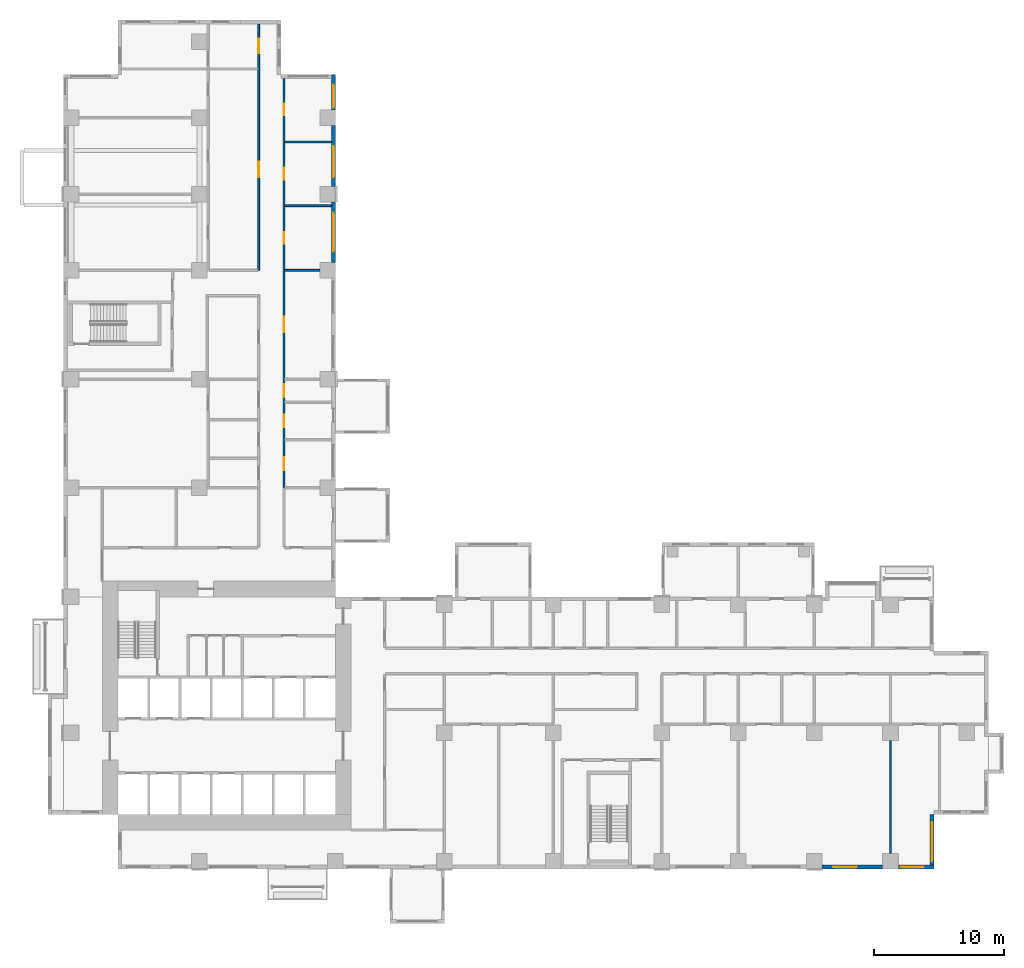
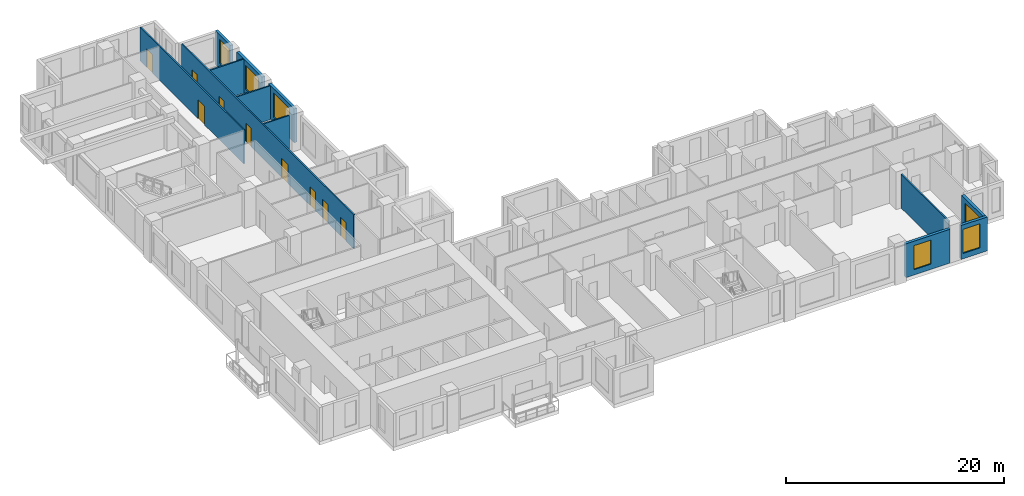
# One storey, part 8 of 15: 12 walls, 9 doors, 6 windows, 15 openings.
"""IFC4 building model written with IfcOpenShell, lengths in metres."""

import ifcopenshell
import ifcopenshell.guid

model = None  # the IFC model being written
_history = None  # IfcOwnerHistory: only IFC2X3 demands one
_inside = {}  # id of a spatial element -> (the spatial element, [elements in it])
_under = {}  # id of a project, library or spatial element -> (it, [spatial elements below it])
_declared = {}  # id of a project -> (the project, [libraries it declares])
_typed = {}  # id of a type object -> (the type object, [elements of that type])
_made_of = {}  # id of a material, layer set ... -> (it, [elements and type objects made of it])


def new_model(schema):
    """Start an empty IFC model of exactly this schema.

    Asked for "IFC4X3", IfcOpenShell would pick the latest addendum, in which some entities
    have other attributes; the version numbers below select the first issue.
    IFC2X3 requires an IfcOwnerHistory on every rooted entity: one is made here for all.
    """
    global model, _history
    if schema == "IFC4X3":
        model = ifcopenshell.file(schema_version=(4, 3, 0, 0))
    else:
        model = ifcopenshell.file(schema=schema)
    _inside.clear()
    _under.clear()
    _declared.clear()
    _typed.clear()
    _made_of.clear()
    _history = None
    if model.schema == "IFC2X3":
        org = make("IfcOrganization", Name="unknown")
        user = make(
            "IfcPersonAndOrganization",
            ThePerson=make("IfcPerson", FamilyName="unknown"),
            TheOrganization=org,
        )
        app = make(
            "IfcApplication",
            ApplicationDeveloper=org,
            Version="unknown",
            ApplicationFullName="unknown",
            ApplicationIdentifier="unknown",
        )
        _history = make(
            "IfcOwnerHistory",
            OwningUser=user,
            OwningApplication=app,
            ChangeAction="ADDED",
            CreationDate=0,
        )
    return model


def make(cls, **values):
    """One entity of the class cls with the attributes given. An attribute that is None is left unset."""
    return model.create_entity(
        cls, **{name: value for name, value in values.items() if value is not None}
    )


def rooted(cls, **values):
    """An entity with a GlobalId (a new one), such as an element, a storey or a relation."""
    return make(cls, GlobalId=ifcopenshell.guid.new(), OwnerHistory=_history, **values)


def si_unit(unit_type, name, prefix=None):
    """IfcSIUnit, for example si_unit("LENGTHUNIT", "METRE", prefix="MILLI")."""
    return make("IfcSIUnit", UnitType=unit_type, Prefix=prefix, Name=name)


def assignment(units):
    """IfcUnitAssignment: the units of a project."""
    return None if units is None else make("IfcUnitAssignment", Units=units)


def point(xyz):
    """IfcCartesianPoint."""
    return None if xyz is None else make("IfcCartesianPoint", Coordinates=xyz)


def direction(xyz):
    """IfcDirection."""
    return None if xyz is None else make("IfcDirection", DirectionRatios=xyz)


def frame(location, z_axis=None, x_axis=None):
    """IfcAxis2Placement3D, a coordinate frame: its origin and axes. An axis left out is left unset."""
    return make(
        "IfcAxis2Placement3D",
        Location=point(location),
        Axis=direction(z_axis),
        RefDirection=direction(x_axis),
    )


def frame_2d(location, x_axis=None):
    """IfcAxis2Placement2D, a coordinate frame in the plane: its origin and x axis."""
    return make(
        "IfcAxis2Placement2D", Location=point(location), RefDirection=direction(x_axis)
    )


def origin():
    """The frame at (0, 0, 0) with its axes left unset."""
    return frame((0.0, 0.0, 0.0))


def place(relative_to, where):
    """IfcLocalPlacement: puts the frame where relative to a parent placement (None: the world)."""
    return make(
        "IfcLocalPlacement", PlacementRelTo=relative_to, RelativePlacement=where
    )


def context(
    kind, dimensions, precision=None, world=None, true_north=None, identifier=None
):
    """IfcGeometricRepresentationContext, for example the 3D "Model" context."""
    return make(
        "IfcGeometricRepresentationContext",
        ContextIdentifier=identifier,
        ContextType=kind,
        CoordinateSpaceDimension=dimensions,
        Precision=precision,
        WorldCoordinateSystem=world,
        TrueNorth=true_north,
    )


def subcontext(parent, identifier, kind, view, scale=None):
    """IfcGeometricRepresentationSubContext, for example "Body" below "Model"."""
    return make(
        "IfcGeometricRepresentationSubContext",
        ContextIdentifier=identifier,
        ContextType=kind,
        ParentContext=parent,
        TargetScale=scale,
        TargetView=view,
    )


def project(units=None, contexts=None):
    """IfcProject with its units and contexts."""
    return rooted(
        "IfcProject",
        Name="project",
        RepresentationContexts=contexts,
        UnitsInContext=assignment(units),
    )


def spatial(cls, under=None, at=None, **own):
    """A site, building, storey or space (cls), placed at a placement, below another one or the project."""
    s = rooted(cls, ObjectPlacement=at, **own)
    if under is not None:
        _under.setdefault(under.id(), (under, []))[1].append(s)
    return s


def profile(cls, at=None, kind="AREA", **sizes):
    """A parametric profile (cls). Its sizes go by their IFC names, for example OverallWidth=200.0."""
    return make(cls, ProfileType=kind, Position=at, **sizes)


def rectangle(**sizes):
    """IfcRectangleProfileDef."""
    return profile("IfcRectangleProfileDef", **sizes)


def extrude(swept, where, along, depth):
    """IfcExtrudedAreaSolid: the profile swept, set in the frame where, extruded along a direction by depth."""
    return make(
        "IfcExtrudedAreaSolid",
        SweptArea=swept,
        Position=where,
        ExtrudedDirection=direction(along),
        Depth=depth,
    )


def shape(context_of_items, identifier, shape_type, items):
    """IfcShapeRepresentation: the items that make up one representation, for example the "Body"."""
    return make(
        "IfcShapeRepresentation",
        ContextOfItems=context_of_items,
        RepresentationIdentifier=identifier,
        RepresentationType=shape_type,
        Items=items,
    )


def source(mapping_origin, context_of_items, identifier, shape_type, items):
    """IfcRepresentationMap: a shape defined once, which mapped items show again and again."""
    return make(
        "IfcRepresentationMap",
        MappingOrigin=mapping_origin,
        MappedRepresentation=shape(context_of_items, identifier, shape_type, items),
    )


def transform(
    local_origin,
    x_axis=None,
    y_axis=None,
    z_axis=None,
    scale=None,
    scale2=None,
    scale3=None,
    uniform=True,
):
    """IfcCartesianTransformationOperator3D, or its non-uniform kind. x_axis, y_axis, z_axis: its Axis1, 2, 3."""
    if uniform:
        return make(
            "IfcCartesianTransformationOperator3D",
            Axis1=direction(x_axis),
            Axis2=direction(y_axis),
            LocalOrigin=point(local_origin),
            Scale=scale,
            Axis3=direction(z_axis),
        )
    return make(
        "IfcCartesianTransformationOperator3DnonUniform",
        Axis1=direction(x_axis),
        Axis2=direction(y_axis),
        LocalOrigin=point(local_origin),
        Scale=scale,
        Axis3=direction(z_axis),
        Scale2=scale2,
        Scale3=scale3,
    )


def mapped(mapping_source, mapping_target):
    """IfcMappedItem: shows the shape of a source again, moved by a transform."""
    return make(
        "IfcMappedItem", MappingSource=mapping_source, MappingTarget=mapping_target
    )


def material(Name=None, Category=None):
    """IfcMaterial."""
    return make("IfcMaterial", Name=Name, Category=Category)


def layer(
    of_material, thickness, ventilated=None, Name=None, Category=None, Priority=None
):
    """IfcMaterialLayer: one layer of a wall or slab, of a material (None: an air gap)."""
    return make(
        "IfcMaterialLayer",
        Material=of_material,
        LayerThickness=thickness,
        IsVentilated=ventilated,
        Name=Name,
        Category=Category,
        Priority=Priority,
    )


def layer_set(layers, Name=None):
    """IfcMaterialLayerSet."""
    return make("IfcMaterialLayerSet", MaterialLayers=layers, LayerSetName=Name)


def made_of(thing, what):
    """Note that an element or type object is made of a material, layer set ...; save() writes the relation."""
    if what is not None:
        _made_of.setdefault(what.id(), (what, []))[1].append(thing)
    return thing


def type_object(cls, material=None, **own):
    """A type object (cls), such as IfcWallType, which elements share."""
    return made_of(rooted(cls, **own), material)


def element(
    cls,
    number,
    at=None,
    inside=None,
    cuts=None,
    type_object=None,
    material=None,
    context=None,
    identifier="Body",
    shape_type=None,
    held_by="IfcProductDefinitionShape",
    body=None,
    shapes=None,
    **own,
):
    """One element of the class cls, such as IfcWall. Its Tag is "e" and its number.

    at: its placement. inside: the storey or other place that contains it. cuts: it is an
    opening in that element (IfcRelVoidsElement). A single representation is given by context,
    identifier, shape_type and body (its items); several are given by shapes. held_by: the class
    of the entity that holds the representations. save() writes the other relations.
    """
    e = rooted(cls, Tag="e%d" % number, ObjectPlacement=at, **own)
    if body is not None:
        shapes = [shape(context, identifier, shape_type, body)]
    if shapes is not None:
        e.Representation = make(held_by, Representations=shapes)
    if inside is not None:
        _inside.setdefault(inside.id(), (inside, []))[1].append(e)
    if cuts is not None:
        rooted(
            "IfcRelVoidsElement", RelatingBuildingElement=cuts, RelatedOpeningElement=e
        )
    if type_object is not None:
        _typed.setdefault(type_object.id(), (type_object, []))[1].append(e)
    return made_of(e, material)


def fill(opening, filler):
    """IfcRelFillsElement: the door or window that sits in an opening."""
    return rooted(
        "IfcRelFillsElement",
        RelatingOpeningElement=opening,
        RelatedBuildingElement=filler,
    )


def aggregate(whole, parts):
    """IfcRelAggregates: a whole, such as a stair, and the parts it consists of."""
    return rooted("IfcRelAggregates", RelatingObject=whole, RelatedObjects=parts)


def save(model, path):
    """Write the relations noted so far, then the file.

    IfcRelAggregates (storeys below a building ...), IfcRelContainedInSpatialStructure (elements
    in a storey), IfcRelDefinesByType, IfcRelAssociatesMaterial and IfcRelDeclares: one each for
    every whole, place, type object, material and project.
    """
    for whole, parts in _under.values():
        aggregate(whole, parts)
    for where, things in _inside.values():
        rooted(
            "IfcRelContainedInSpatialStructure",
            RelatedElements=things,
            RelatingStructure=where,
        )
    for kind, things in _typed.values():
        rooted("IfcRelDefinesByType", RelatedObjects=things, RelatingType=kind)
    for what, things in _made_of.values():
        rooted("IfcRelAssociatesMaterial", RelatedObjects=things, RelatingMaterial=what)
    for by, libraries in _declared.values():
        rooted("IfcRelDeclares", RelatingContext=by, RelatedDefinitions=libraries)
    model.write(path)


model = new_model("IFC4")

# Units and contexts
model_context = context("Model", 3, precision=1e-05, world=origin(), true_north=direction((0.0, 1.0)))
body_context = subcontext(model_context, "Body", "Model", "MODEL_VIEW")
ifc_project = project(units=[si_unit("LENGTHUNIT", "METRE"), si_unit("AREAUNIT", "SQUARE_METRE"), si_unit("VOLUMEUNIT", "CUBIC_METRE"), si_unit("PLANEANGLEUNIT", "RADIAN"), si_unit("MASSUNIT", "GRAM", prefix="KILO")], contexts=[model_context])

# Site, building, storey
site_placement = place(None, origin())
site = spatial("IfcSite", under=ifc_project, at=site_placement, CompositionType="ELEMENT")
building_placement = place(site_placement, origin())
building = spatial("IfcBuilding", under=site, at=building_placement, Name="Aurelian Terraces", CompositionType="ELEMENT")
storey_placement = place(building_placement, frame((0.0, 0.0, 65.7)))
storey = spatial("IfcBuildingStorey", under=building, at=storey_placement, Name="L13", CompositionType="ELEMENT", Elevation=65.7)

# Wall, opening, window
ifc_material_1 = material(Name="Terracotta rainscreen cladding", Category="masonry")
ifc_layer_1 = layer(ifc_material_1, 0.3)
ifc_layer_set_1 = layer_set([ifc_layer_1], Name="EW-300")
wall_type_1 = type_object("IfcWallType", Name="EW-300", PredefinedType="STANDARD", material=ifc_layer_set_1)
shared_shape_1 = source(origin(), body_context, "Body", "SweptSolid", [
    extrude(rectangle(XDim=4.68, YDim=0.3, at=frame_2d((2.34, 0.0))), origin(), (0.0, 0.0, 1.0), 3.8),
])
wall_1_placement = place(storey_placement, frame((58.56, 0.15, 0.0), z_axis=(0.0, 0.0, 1.0), x_axis=(1.0, 0.0, 0.0)))
wall_1 = element("IfcWall", 1, at=wall_1_placement, inside=storey, type_object=wall_type_1, Name="External wall L13 F01.10", PredefinedType="STANDARD", context=body_context, shape_type="MappedRepresentation", body=[
    mapped(shared_shape_1, transform((0.0, 0.0, 0.0), scale=1.0)),
])
shared_shape_2 = source(origin(), body_context, "Body", "SweptSolid", [
    extrude(rectangle(XDim=1.8, YDim=2.7, at=frame_2d((0.9, 1.35))), frame((0.0, 0.16, 0.0), z_axis=(0.0, -1.0, 0.0), x_axis=(1.0, 0.0, 0.0)), (0.0, 0.0, 1.0), 0.32),
])
opening_1_placement = place(wall_1_placement, frame((0.8775, 0.0, 0.6)))
opening_1 = element("IfcOpeningElement", 2, at=opening_1_placement, cuts=wall_1, Name="Opening W1827", PredefinedType="OPENING", context=body_context, shape_type="MappedRepresentation", body=[
    mapped(shared_shape_2, transform((0.0, 0.0, 0.0), scale=1.0)),
])
ifc_material_2 = material(Name="Clear glazing", Category="glass")
window_type_1 = type_object("IfcWindowType", Name="W-1800x2700", PartitioningType="SINGLE_PANEL", PredefinedType="WINDOW", material=ifc_material_2)
shared_shape_3 = source(origin(), body_context, "Body", "SweptSolid", [
    extrude(rectangle(XDim=1.8, YDim=2.7, at=frame_2d((0.9, 1.35))), frame((0.0, 0.03, 0.0), z_axis=(0.0, -1.0, 0.0), x_axis=(1.0, 0.0, 0.0)), (0.0, 0.0, 1.0), 0.06),
])
window_1_placement = place(opening_1_placement, origin())
window_1 = element("IfcWindow", 3, at=window_1_placement, inside=storey, type_object=window_type_1, Name="Window L13 L13-F01-10-0", OverallHeight=2.7, OverallWidth=1.8, PartitioningType="SINGLE_PANEL", PredefinedType="WINDOW", context=body_context, shape_type="MappedRepresentation", body=[
    mapped(shared_shape_3, transform((0.0, 0.0, 0.0), scale=1.0)),
])
fill(opening_1, window_1)

wall_2_placement = place(storey_placement, frame((20.85, 46.8, 0.0), z_axis=(0.0, 0.0, 1.0), x_axis=(0.0, 1.0, 0.0)))
wall_2 = element("IfcWall", 4, at=wall_2_placement, inside=storey, type_object=wall_type_1, Name="External wall L13 F08.27", PredefinedType="STANDARD", context=body_context, shape_type="MappedRepresentation", body=[
    mapped(shared_shape_1, transform((0.0, 0.0, 0.0), scale=1.0)),
])
shared_shape_4 = source(origin(), body_context, "Body", "SweptSolid", [
    extrude(rectangle(XDim=3.0, YDim=2.7, at=frame_2d((1.5, 1.35))), frame((0.0, 0.16, 0.0), z_axis=(0.0, -1.0, 0.0), x_axis=(1.0, 0.0, 0.0)), (0.0, 0.0, 1.0), 0.32),
])
opening_2_placement = place(wall_2_placement, frame((0.84, 0.0, 0.6)))
opening_2 = element("IfcOpeningElement", 5, at=opening_2_placement, cuts=wall_2, Name="Opening W3027", PredefinedType="OPENING", context=body_context, shape_type="MappedRepresentation", body=[
    mapped(shared_shape_4, transform((0.0, 0.0, 0.0), scale=1.0)),
])
window_type_2 = type_object("IfcWindowType", Name="W-3000x2700", PartitioningType="SINGLE_PANEL", PredefinedType="WINDOW", material=ifc_material_2)
shared_shape_5 = source(origin(), body_context, "Body", "SweptSolid", [
    extrude(rectangle(XDim=3.0, YDim=2.7, at=frame_2d((1.5, 1.35))), frame((0.0, 0.03, 0.0), z_axis=(0.0, -1.0, 0.0), x_axis=(1.0, 0.0, 0.0)), (0.0, 0.0, 1.0), 0.06),
])
window_2_placement = place(opening_2_placement, origin())
window_2 = element("IfcWindow", 6, at=window_2_placement, inside=storey, type_object=window_type_2, Name="Window L13 L13-F08-27-0", OverallHeight=2.7, OverallWidth=3.0, PartitioningType="SINGLE_PANEL", PredefinedType="WINDOW", context=body_context, shape_type="MappedRepresentation", body=[
    mapped(shared_shape_5, transform((0.0, 0.0, 0.0), scale=1.0)),
])
fill(opening_2, window_2)

wall_3_placement = place(storey_placement, frame((20.85, 52.68, 0.0), z_axis=(0.0, 0.0, 1.0), x_axis=(0.0, 1.0, 0.0)))
wall_3 = element("IfcWall", 7, at=wall_3_placement, inside=storey, type_object=wall_type_1, Name="External wall L13 F08.28", PredefinedType="STANDARD", context=body_context, shape_type="MappedRepresentation", body=[
    mapped(shared_shape_1, transform((0.0, 0.0, 0.0), scale=1.0)),
])
shared_shape_6 = source(origin(), body_context, "Body", "SweptSolid", [
    extrude(rectangle(XDim=2.4, YDim=2.7, at=frame_2d((1.2, 1.35))), frame((0.0, 0.16, 0.0), z_axis=(0.0, -1.0, 0.0), x_axis=(1.0, 0.0, 0.0)), (0.0, 0.0, 1.0), 0.32),
])
opening_3_placement = place(wall_3_placement, frame((0.695, 0.0, 0.6)))
opening_3 = element("IfcOpeningElement", 8, at=opening_3_placement, cuts=wall_3, Name="Opening W2427", PredefinedType="OPENING", context=body_context, shape_type="MappedRepresentation", body=[
    mapped(shared_shape_6, transform((0.0, 0.0, 0.0), scale=1.0)),
])
window_type_3 = type_object("IfcWindowType", Name="W-2400x2700", PartitioningType="SINGLE_PANEL", PredefinedType="WINDOW", material=ifc_material_2)
shared_shape_7 = source(origin(), body_context, "Body", "SweptSolid", [
    extrude(rectangle(XDim=2.4, YDim=2.7, at=frame_2d((1.2, 1.35))), frame((0.0, 0.03, 0.0), z_axis=(0.0, -1.0, 0.0), x_axis=(1.0, 0.0, 0.0)), (0.0, 0.0, 1.0), 0.06),
])
window_3_placement = place(opening_3_placement, origin())
window_3 = element("IfcWindow", 9, at=window_3_placement, inside=storey, type_object=window_type_3, Name="Window L13 L13-F08-28-0", OverallHeight=2.7, OverallWidth=2.4, PartitioningType="SINGLE_PANEL", PredefinedType="WINDOW", context=body_context, shape_type="MappedRepresentation", body=[
    mapped(shared_shape_7, transform((0.0, 0.0, 0.0), scale=1.0)),
])
fill(opening_3, window_3)

shared_shape_8 = source(origin(), body_context, "Body", "SweptSolid", [
    extrude(rectangle(XDim=4.2, YDim=0.3, at=frame_2d((2.1, 0.0))), origin(), (0.0, 0.0, 1.0), 3.8),
])
wall_4_placement = place(storey_placement, frame((67.05, 0.0, 0.0), z_axis=(0.0, 0.0, 1.0), x_axis=(0.0, 1.0, 0.0)))
wall_4 = element("IfcWall", 10, at=wall_4_placement, inside=storey, type_object=wall_type_1, Name="External wall L13 F02.12", PredefinedType="STANDARD", context=body_context, shape_type="MappedRepresentation", body=[
    mapped(shared_shape_8, transform((0.0, 0.0, 0.0), scale=1.0)),
])
opening_4_placement = place(wall_4_placement, frame((0.6, 0.0, 0.6)))
opening_4 = element("IfcOpeningElement", 11, at=opening_4_placement, cuts=wall_4, Name="Opening W3027", PredefinedType="OPENING", context=body_context, shape_type="MappedRepresentation", body=[
    mapped(shared_shape_4, transform((0.0, 0.0, 0.0), scale=1.0)),
])
window_4_placement = place(opening_4_placement, origin())
window_4 = element("IfcWindow", 12, at=window_4_placement, inside=storey, type_object=window_type_2, Name="Window L13 L13-F02-12-0", OverallHeight=2.7, OverallWidth=3.0, PartitioningType="SINGLE_PANEL", PredefinedType="WINDOW", context=body_context, shape_type="MappedRepresentation", body=[
    mapped(shared_shape_5, transform((0.0, 0.0, 0.0), scale=1.0)),
])
fill(opening_4, window_4)

shared_shape_9 = source(origin(), body_context, "Body", "SweptSolid", [
    extrude(rectangle(XDim=2.76, YDim=0.3, at=frame_2d((1.38, 0.0))), origin(), (0.0, 0.0, 1.0), 3.8),
])
wall_5_placement = place(storey_placement, frame((64.44, 0.15, 0.0), z_axis=(0.0, 0.0, 1.0), x_axis=(1.0, 0.0, 0.0)))
wall_5 = element("IfcWall", 13, at=wall_5_placement, inside=storey, type_object=wall_type_1, Name="External wall L13 F01.11", PredefinedType="STANDARD", context=body_context, shape_type="MappedRepresentation", body=[
    mapped(shared_shape_9, transform((0.0, 0.0, 0.0), scale=1.0)),
])
opening_5_placement = place(wall_5_placement, frame((0.18, 0.0, 0.6)))
opening_5 = element("IfcOpeningElement", 14, at=opening_5_placement, cuts=wall_5, Name="Opening W1827", PredefinedType="OPENING", context=body_context, shape_type="MappedRepresentation", body=[
    mapped(shared_shape_2, transform((0.0, 0.0, 0.0), scale=1.0)),
])
window_5_placement = place(opening_5_placement, origin())
window_5 = element("IfcWindow", 15, at=window_5_placement, inside=storey, type_object=window_type_1, Name="Window L13 L13-F01-11-0", OverallHeight=2.7, OverallWidth=1.8, PartitioningType="SINGLE_PANEL", PredefinedType="WINDOW", context=body_context, shape_type="MappedRepresentation", body=[
    mapped(shared_shape_3, transform((0.0, 0.0, 0.0), scale=1.0)),
])
fill(opening_5, window_5)

wall_6_placement = place(storey_placement, frame((20.85, 58.56, 0.0), z_axis=(0.0, 0.0, 1.0), x_axis=(0.0, 1.0, 0.0)))
wall_6 = element("IfcWall", 16, at=wall_6_placement, inside=storey, type_object=wall_type_1, Name="External wall L13 F08.29", PredefinedType="STANDARD", context=body_context, shape_type="MappedRepresentation", body=[
    mapped(shared_shape_9, transform((0.0, 0.0, 0.0), scale=1.0)),
])
opening_6_placement = place(wall_6_placement, frame((0.18, 0.0, 0.6)))
opening_6 = element("IfcOpeningElement", 17, at=opening_6_placement, cuts=wall_6, Name="Opening W1827", PredefinedType="OPENING", context=body_context, shape_type="MappedRepresentation", body=[
    mapped(shared_shape_2, transform((0.0, 0.0, 0.0), scale=1.0)),
])
window_6_placement = place(opening_6_placement, origin())
window_6 = element("IfcWindow", 18, at=window_6_placement, inside=storey, type_object=window_type_1, Name="Window L13 L13-F08-29-0", OverallHeight=2.7, OverallWidth=1.8, PartitioningType="SINGLE_PANEL", PredefinedType="WINDOW", context=body_context, shape_type="MappedRepresentation", body=[
    mapped(shared_shape_3, transform((0.0, 0.0, 0.0), scale=1.0)),
])
fill(opening_6, window_6)

# Walls
ifc_material_3 = material(Name="Gypsum board on steel studs", Category="steel")
ifc_layer_2 = layer(ifc_material_3, 0.15)
ifc_layer_set_2 = layer_set([ifc_layer_2], Name="Partition 150")
wall_type_2 = type_object("IfcWallType", Name="Partition 150", PredefinedType="PARTITIONING", material=ifc_layer_set_2)
shared_shape_10 = source(origin(), body_context, "Body", "SweptSolid", [
    extrude(rectangle(XDim=8.702, YDim=0.15, at=frame_2d((4.351, 0.0))), origin(), (0.0, 0.0, 1.0), 3.8),
])
wall_7_placement = place(storey_placement, frame((63.84, 1.199, 0.0), z_axis=(0.0, 0.0, 1.0), x_axis=(0.0, 1.0, 0.0)))
element("IfcWall", 19, at=wall_7_placement, inside=storey, type_object=wall_type_2, Name="Partition", PredefinedType="PARTITIONING", context=body_context, shape_type="MappedRepresentation", body=[
    mapped(shared_shape_10, transform((0.0, 0.0, 0.0), scale=1.0)),
])
shared_shape_11 = source(origin(), body_context, "Body", "SweptSolid", [
    extrude(rectangle(XDim=3.6, YDim=0.15, at=frame_2d((1.8, 0.0))), origin(), (0.0, 0.0, 1.0), 3.8),
])
for number, where, z_axis, x_axis, name in (
    (20, (17.1, 51.19, 0.0), (0.0, 0.0, 1.0), (1.0, 0.0, 0.0), "Partition"),
    (21, (17.1, 56.105, 0.0), (0.0, 0.0, 1.0), (1.0, 0.0, 0.0), "Partition"),
):
    element("IfcWall", number, at=place(storey_placement, frame(where, z_axis=z_axis, x_axis=x_axis)), inside=storey, type_object=wall_type_2, Name=name, PredefinedType="PARTITIONING", context=body_context, shape_type="MappedRepresentation", body=[
        mapped(shared_shape_11, transform((0.0, 0.0, 0.0), scale=1.0)),
    ])
shared_shape_12 = source(origin(), body_context, "Body", "SweptSolid", [
    extrude(rectangle(XDim=2.701, YDim=0.15, at=frame_2d((1.3505, 0.0))), origin(), (0.0, 0.0, 1.0), 3.8),
])
wall_8_placement = place(storey_placement, frame((19.801, 46.2, 0.0), z_axis=(0.0, 0.0, 1.0), x_axis=(-1.0, 0.0, 0.0)))
element("IfcWall", 22, at=wall_8_placement, inside=storey, type_object=wall_type_2, Name="Partition", PredefinedType="PARTITIONING", context=body_context, shape_type="MappedRepresentation", body=[
    mapped(shared_shape_12, transform((0.0, 0.0, 0.0), scale=1.0)),
])

# Wall, openings, doors
ifc_layer_3 = layer(ifc_material_3, 0.15)
ifc_layer_set_3 = layer_set([ifc_layer_3], Name="Fire partition 150")
wall_type_3 = type_object("IfcWallType", Name="Fire partition 150", PredefinedType="PARTITIONING", material=ifc_layer_set_3)
shared_shape_13 = source(origin(), body_context, "Body", "SweptSolid", [
    extrude(rectangle(XDim=19.02, YDim=0.15, at=frame_2d((9.51, 0.0))), origin(), (0.0, 0.0, 1.0), 3.8),
])
wall_9_placement = place(storey_placement, frame((15.075, 46.2, 0.0), z_axis=(0.0, 0.0, 1.0), x_axis=(0.0, 1.0, 0.0)))
wall_9 = element("IfcWall", 23, at=wall_9_placement, inside=storey, type_object=wall_type_3, Name="Corridor wall", PredefinedType="PARTITIONING", context=body_context, shape_type="MappedRepresentation", body=[
    mapped(shared_shape_13, transform((0.0, 0.0, 0.0), scale=1.0)),
])
shared_shape_14 = source(origin(), body_context, "Body", "SweptSolid", [
    extrude(rectangle(XDim=1.2, YDim=2.1, at=frame_2d((0.6, 1.05))), frame((0.0, 0.085, 0.0), z_axis=(0.0, -1.0, 0.0), x_axis=(1.0, 0.0, 0.0)), (0.0, 0.0, 1.0), 0.17),
])
opening_7_placement = place(wall_9_placement, frame((7.17, 0.0, 0.0)))
opening_7 = element("IfcOpeningElement", 24, at=opening_7_placement, cuts=wall_9, Name="Opening 713040", PredefinedType="OPENING", context=body_context, shape_type="MappedRepresentation", body=[
    mapped(shared_shape_14, transform((0.0, 0.0, 0.0), scale=1.0)),
])
shared_shape_15 = source(origin(), body_context, "Body", "SweptSolid", [
    extrude(rectangle(XDim=1.1, YDim=2.1, at=frame_2d((0.55, 1.05))), frame((0.0, 0.085, 0.0), z_axis=(0.0, -1.0, 0.0), x_axis=(1.0, 0.0, 0.0)), (0.0, 0.0, 1.0), 0.17),
])
opening_8_placement = place(wall_9_placement, frame((16.7675, 0.0, 0.0)))
opening_8 = element("IfcOpeningElement", 25, at=opening_8_placement, cuts=wall_9, Name="Opening 713044", PredefinedType="OPENING", context=body_context, shape_type="MappedRepresentation", body=[
    mapped(shared_shape_15, transform((0.0, 0.0, 0.0), scale=1.0)),
])
ifc_material_4 = material(Name="Timber door leaf", Category="wood")
door_type_1 = type_object("IfcDoorType", Name="Room door 1100x2100 right", OperationType="SINGLE_SWING_RIGHT", PredefinedType="DOOR", material=ifc_material_4)
shared_shape_16 = source(origin(), body_context, "Body", "SweptSolid", [
    extrude(rectangle(XDim=1.1, YDim=2.1, at=frame_2d((0.55, 1.05))), frame((0.0, 0.025, 0.0), z_axis=(0.0, -1.0, 0.0), x_axis=(1.0, 0.0, 0.0)), (0.0, 0.0, 1.0), 0.05),
])
door_1_placement = place(opening_8_placement, origin())
door_1 = element("IfcDoor", 26, at=door_1_placement, inside=storey, type_object=door_type_1, Name="Door 713044", OperationType="SINGLE_SWING_RIGHT", OverallHeight=2.1, OverallWidth=1.1, PredefinedType="DOOR", context=body_context, shape_type="MappedRepresentation", body=[
    mapped(shared_shape_16, transform((0.0, 0.0, 0.0), scale=1.0)),
])
fill(opening_8, door_1)
door_type_2 = type_object("IfcDoorType", Name="Room door 1200x2100 right", OperationType="SINGLE_SWING_RIGHT", PredefinedType="DOOR", material=ifc_material_4)
shared_shape_17 = source(origin(), body_context, "Body", "SweptSolid", [
    extrude(rectangle(XDim=1.2, YDim=2.1, at=frame_2d((0.6, 1.05))), frame((0.0, 0.025, 0.0), z_axis=(0.0, -1.0, 0.0), x_axis=(1.0, 0.0, 0.0)), (0.0, 0.0, 1.0), 0.05),
])
door_2_placement = place(opening_7_placement, origin())
door_2 = element("IfcDoor", 27, at=door_2_placement, inside=storey, type_object=door_type_2, Name="Door 713040", OperationType="SINGLE_SWING_RIGHT", OverallHeight=2.1, OverallWidth=1.2, PredefinedType="DOOR", context=body_context, shape_type="MappedRepresentation", body=[
    mapped(shared_shape_17, transform((0.0, 0.0, 0.0), scale=1.0)),
])
fill(opening_7, door_2)

shared_shape_18 = source(origin(), body_context, "Body", "SweptSolid", [
    extrude(rectangle(XDim=31.62, YDim=0.15, at=frame_2d((15.81, 0.0))), origin(), (0.0, 0.0, 1.0), 3.8),
])
wall_10_placement = place(storey_placement, frame((17.025, 61.02, 0.0), z_axis=(0.0, 0.0, 1.0), x_axis=(0.0, -1.0, 0.0)))
wall_10 = element("IfcWall", 28, at=wall_10_placement, inside=storey, type_object=wall_type_3, Name="Corridor wall", PredefinedType="PARTITIONING", context=body_context, shape_type="MappedRepresentation", body=[
    mapped(shared_shape_18, transform((0.0, 0.0, 0.0), scale=1.0)),
])
shared_shape_19 = source(origin(), body_context, "Body", "SweptSolid", [
    extrude(rectangle(XDim=1.0, YDim=2.1, at=frame_2d((0.5, 1.05))), frame((0.0, 0.085, 0.0), z_axis=(0.0, -1.0, 0.0), x_axis=(1.0, 0.0, 0.0)), (0.0, 0.0, 1.0), 0.17),
])
opening_9_placement = place(wall_10_placement, frame((29.2633, 0.0, 0.0)))
opening_9 = element("IfcOpeningElement", 29, at=opening_9_placement, cuts=wall_10, Name="Opening 713046", PredefinedType="OPENING", context=body_context, shape_type="MappedRepresentation", body=[
    mapped(shared_shape_19, transform((0.0, 0.0, 0.0), scale=1.0)),
])
opening_10_placement = place(wall_10_placement, frame((25.9514, 0.0, 0.0)))
opening_10 = element("IfcOpeningElement", 30, at=opening_10_placement, cuts=wall_10, Name="Opening 713047", PredefinedType="OPENING", context=body_context, shape_type="MappedRepresentation", body=[
    mapped(shared_shape_19, transform((0.0, 0.0, 0.0), scale=1.0)),
])
opening_11_placement = place(wall_10_placement, frame((23.608, 0.0, 0.0)))
opening_11 = element("IfcOpeningElement", 31, at=opening_11_placement, cuts=wall_10, Name="Opening 713048", PredefinedType="OPENING", context=body_context, shape_type="MappedRepresentation", body=[
    mapped(shared_shape_19, transform((0.0, 0.0, 0.0), scale=1.0)),
])
opening_12_placement = place(wall_10_placement, frame((18.42, 0.0, 0.0)))
opening_12 = element("IfcOpeningElement", 32, at=opening_12_placement, cuts=wall_10, Name="Opening 713049", PredefinedType="OPENING", context=body_context, shape_type="MappedRepresentation", body=[
    mapped(shared_shape_14, transform((0.0, 0.0, 0.0), scale=1.0)),
])
shared_shape_20 = source(origin(), body_context, "Body", "SweptSolid", [
    extrude(rectangle(XDim=0.9, YDim=2.1, at=frame_2d((0.45, 1.05))), frame((0.0, 0.085, 0.0), z_axis=(0.0, -1.0, 0.0), x_axis=(1.0, 0.0, 0.0)), (0.0, 0.0, 1.0), 0.17),
])
opening_13_placement = place(wall_10_placement, frame((11.875, 0.0, 0.0)))
opening_13 = element("IfcOpeningElement", 33, at=opening_13_placement, cuts=wall_10, Name="Opening 713050", PredefinedType="OPENING", context=body_context, shape_type="MappedRepresentation", body=[
    mapped(shared_shape_20, transform((0.0, 0.0, 0.0), scale=1.0)),
])
opening_14_placement = place(wall_10_placement, frame((6.9225, 0.0, 0.0)))
opening_14 = element("IfcOpeningElement", 34, at=opening_14_placement, cuts=wall_10, Name="Opening 713051", PredefinedType="OPENING", context=body_context, shape_type="MappedRepresentation", body=[
    mapped(shared_shape_20, transform((0.0, 0.0, 0.0), scale=1.0)),
])
opening_15_placement = place(wall_10_placement, frame((1.97, 0.0, 0.0)))
opening_15 = element("IfcOpeningElement", 35, at=opening_15_placement, cuts=wall_10, Name="Opening 713052", PredefinedType="OPENING", context=body_context, shape_type="MappedRepresentation", body=[
    mapped(shared_shape_20, transform((0.0, 0.0, 0.0), scale=1.0)),
])
door_type_3 = type_object("IfcDoorType", Name="Room door 1000x2100 right", OperationType="SINGLE_SWING_RIGHT", PredefinedType="DOOR", material=ifc_material_4)
shared_shape_21 = source(origin(), body_context, "Body", "SweptSolid", [
    extrude(rectangle(XDim=1.0, YDim=2.1, at=frame_2d((0.5, 1.05))), frame((0.0, 0.025, 0.0), z_axis=(0.0, -1.0, 0.0), x_axis=(1.0, 0.0, 0.0)), (0.0, 0.0, 1.0), 0.05),
])
door_3_placement = place(opening_9_placement, origin())
door_3 = element("IfcDoor", 36, at=door_3_placement, inside=storey, type_object=door_type_3, Name="Door 713046", OperationType="SINGLE_SWING_RIGHT", OverallHeight=2.1, OverallWidth=1.0, PredefinedType="DOOR", context=body_context, shape_type="MappedRepresentation", body=[
    mapped(shared_shape_21, transform((0.0, 0.0, 0.0), scale=1.0)),
])
fill(opening_9, door_3)
door_type_4 = type_object("IfcDoorType", Name="Room door 1000x2100 left", OperationType="SINGLE_SWING_LEFT", PredefinedType="DOOR", material=ifc_material_4)
door_4_placement = place(opening_10_placement, origin())
door_4 = element("IfcDoor", 37, at=door_4_placement, inside=storey, type_object=door_type_4, Name="Door 713047", OperationType="SINGLE_SWING_LEFT", OverallHeight=2.1, OverallWidth=1.0, PredefinedType="DOOR", context=body_context, shape_type="MappedRepresentation", body=[
    mapped(shared_shape_21, transform((0.0, 0.0, 0.0), scale=1.0)),
])
fill(opening_10, door_4)
door_5_placement = place(opening_11_placement, origin())
door_5 = element("IfcDoor", 38, at=door_5_placement, inside=storey, type_object=door_type_3, Name="Door 713048", OperationType="SINGLE_SWING_RIGHT", OverallHeight=2.1, OverallWidth=1.0, PredefinedType="DOOR", context=body_context, shape_type="MappedRepresentation", body=[
    mapped(shared_shape_21, transform((0.0, 0.0, 0.0), scale=1.0)),
])
fill(opening_11, door_5)
door_type_5 = type_object("IfcDoorType", Name="Room door 900x2100 right", OperationType="SINGLE_SWING_RIGHT", PredefinedType="DOOR", material=ifc_material_4)
shared_shape_22 = source(origin(), body_context, "Body", "SweptSolid", [
    extrude(rectangle(XDim=0.9, YDim=2.1, at=frame_2d((0.45, 1.05))), frame((0.0, 0.025, 0.0), z_axis=(0.0, -1.0, 0.0), x_axis=(1.0, 0.0, 0.0)), (0.0, 0.0, 1.0), 0.05),
])
door_6_placement = place(opening_13_placement, origin())
door_6 = element("IfcDoor", 39, at=door_6_placement, inside=storey, type_object=door_type_5, Name="Door 713050", OperationType="SINGLE_SWING_RIGHT", OverallHeight=2.1, OverallWidth=0.9, PredefinedType="DOOR", context=body_context, shape_type="MappedRepresentation", body=[
    mapped(shared_shape_22, transform((0.0, 0.0, 0.0), scale=1.0)),
])
fill(opening_13, door_6)
door_type_6 = type_object("IfcDoorType", Name="Room door 900x2100 left", OperationType="SINGLE_SWING_LEFT", PredefinedType="DOOR", material=ifc_material_4)
door_7_placement = place(opening_14_placement, origin())
door_7 = element("IfcDoor", 40, at=door_7_placement, inside=storey, type_object=door_type_6, Name="Door 713051", OperationType="SINGLE_SWING_LEFT", OverallHeight=2.1, OverallWidth=0.9, PredefinedType="DOOR", context=body_context, shape_type="MappedRepresentation", body=[
    mapped(shared_shape_22, transform((0.0, 0.0, 0.0), scale=1.0)),
])
fill(opening_14, door_7)
door_8_placement = place(opening_15_placement, origin())
door_8 = element("IfcDoor", 41, at=door_8_placement, inside=storey, type_object=door_type_5, Name="Door 713052", OperationType="SINGLE_SWING_RIGHT", OverallHeight=2.1, OverallWidth=0.9, PredefinedType="DOOR", context=body_context, shape_type="MappedRepresentation", body=[
    mapped(shared_shape_22, transform((0.0, 0.0, 0.0), scale=1.0)),
])
fill(opening_15, door_8)
door_9_placement = place(opening_12_placement, origin())
door_9 = element("IfcDoor", 42, at=door_9_placement, inside=storey, type_object=door_type_2, Name="Door 713049", OperationType="SINGLE_SWING_RIGHT", OverallHeight=2.1, OverallWidth=1.2, PredefinedType="DOOR", context=body_context, shape_type="MappedRepresentation", body=[
    mapped(shared_shape_17, transform((0.0, 0.0, 0.0), scale=1.0)),
])
fill(opening_12, door_9)

save(model, "model.ifc")
